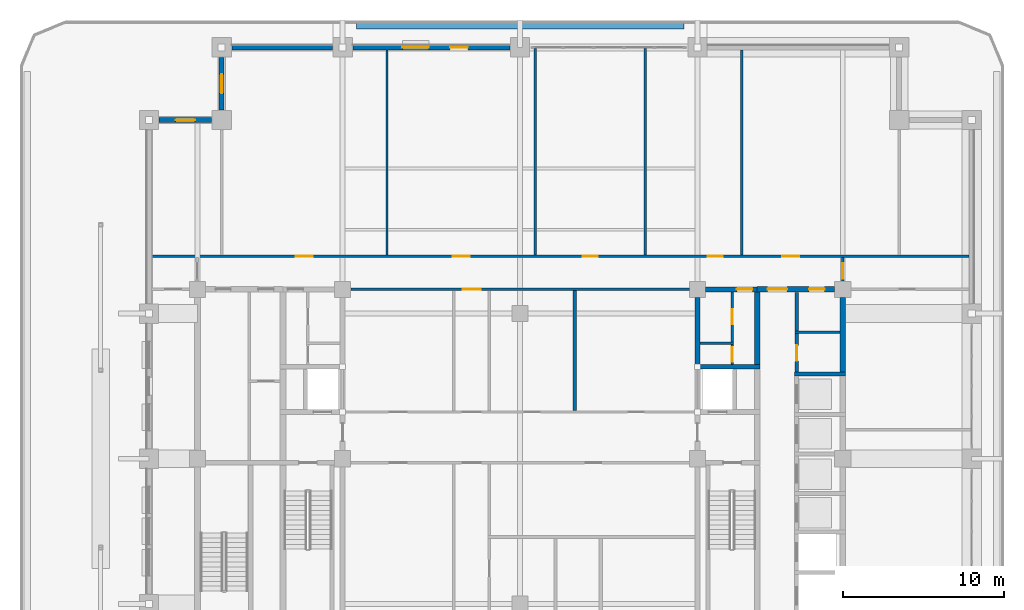
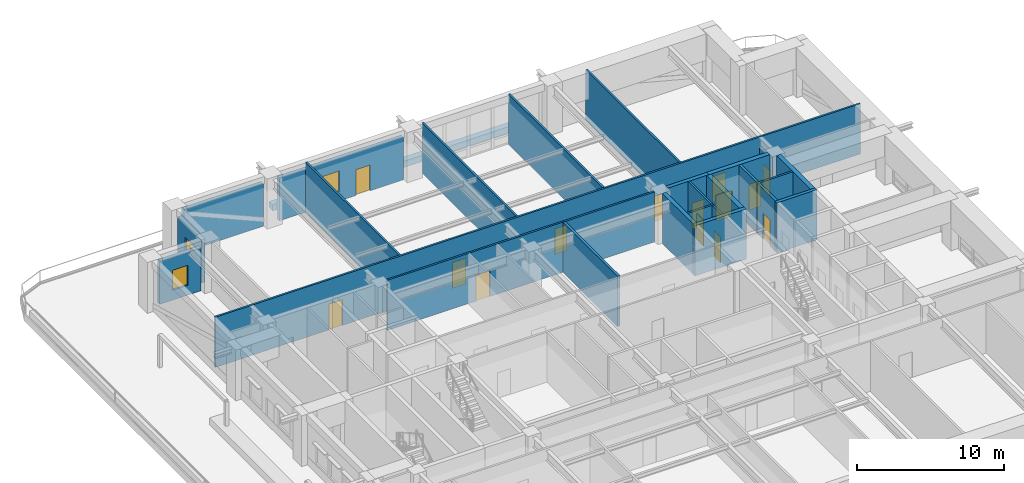
# One storey, part 11 of 21: 26 walls, 14 doors, 3 windows, 17 openings.
"""IFC4 building model written with IfcOpenShell, lengths in metres."""

from ifc_helpers import new_model, si_unit, direction, frame, frame_2d, origin, place, context, subcontext, project, spatial, rectangle, extrude, material, layer, layer_set, type_object, element, fill, save


model = new_model("IFC4")

# Units and contexts
model_context = context("Model", 3, precision=1e-05, world=origin(), true_north=direction((0.0, 1.0)))
body_context = subcontext(model_context, "Body", "Model", "MODEL_VIEW")
ifc_project = project(units=[si_unit("LENGTHUNIT", "METRE"), si_unit("AREAUNIT", "SQUARE_METRE"), si_unit("VOLUMEUNIT", "CUBIC_METRE"), si_unit("PLANEANGLEUNIT", "RADIAN"), si_unit("MASSUNIT", "GRAM", prefix="KILO")], contexts=[model_context])

# Site, building, storey
site_placement = place(None, origin())
site = spatial("IfcSite", under=ifc_project, at=site_placement, CompositionType="ELEMENT")
building_placement = place(site_placement, origin())
building = spatial("IfcBuilding", under=site, at=building_placement, Name="Zulmaris Gate Convention Tower", CompositionType="ELEMENT")
storey_placement = place(building_placement, frame((0.0, 0.0, 86.93994140625)))
storey = spatial("IfcBuildingStorey", under=building, at=storey_placement, Name="L21", CompositionType="ELEMENT", Elevation=86.93994140625)

# Walls
ifc_material_1 = material(Name="Concrete C50/60", Category="concrete")
ifc_layer_1 = layer(ifc_material_1, 0.25, Name="Concrete C50/60")
ifc_layer_set_1 = layer_set([ifc_layer_1], Name="Concrete C50/60")
wall_type_1 = type_object("IfcWallType", Name="CORE-250", PredefinedType="SOLIDWALL", material=ifc_layer_set_1)
wall_1_placement = place(storey_placement, frame((17.02490234375, 5.25, 0.0), z_axis=(0.0, 0.0, 1.0), x_axis=(1.0, 0.0, 0.0)))
element("IfcWall", 1, at=wall_1_placement, inside=storey, type_object=wall_type_1, Name="WL-L21-014", PredefinedType="SOLIDWALL", context=body_context, shape_type="SweptSolid", body=[
    extrude(rectangle(XDim=3.150146484375, YDim=0.25, at=frame_2d((1.5751953125, 0.0))), origin(), (0.0, 0.0, 1.0), 4.169921875),
])
ifc_layer_2 = layer(ifc_material_1, 0.300048828125, Name="Concrete C50/60")
ifc_layer_set_2 = layer_set([ifc_layer_2], Name="Concrete C50/60")
wall_type_2 = type_object("IfcWallType", Name="CORE-300", PredefinedType="SHEAR", material=ifc_layer_set_2)
wall_2_placement = place(storey_placement, frame((10.85009765625, 5.699951171875, 0.0), z_axis=(0.0, 0.0, 1.0), x_axis=(1.0, 0.0, 0.0)))
element("IfcWall", 2, at=wall_2_placement, inside=storey, type_object=wall_type_2, Name="WL-L21-016", PredefinedType="SHEAR", context=body_context, shape_type="SweptSolid", body=[
    extrude(rectangle(XDim=4.02490234375, YDim=0.300048828125, at=frame_2d((2.012451171875, 0.0))), origin(), (0.0, 0.0, 1.0), 4.169921875),
])

# Wall, opening, door
wall_3_placement = place(storey_placement, frame((11.50390625, 10.5, 0.0), z_axis=(0.0, 0.0, 1.0), x_axis=(1.0, 0.0, 0.0)))
wall_3 = element("IfcWall", 3, at=wall_3_placement, inside=storey, type_object=wall_type_2, Name="WL-L21-019", PredefinedType="SHEAR", context=body_context, shape_type="SweptSolid", body=[
    extrude(rectangle(XDim=3.196044921875, YDim=0.300048828125, at=frame_2d((1.59814453125, 0.0))), origin(), (0.0, 0.0, 1.0), 4.169921875),
])
opening_1_placement = place(wall_3_placement, frame((1.94091796875, 0.0, 0.0)))
opening_1 = element("IfcOpeningElement", 4, at=opening_1_placement, cuts=wall_3, Name="Opening D-11", PredefinedType="OPENING", context=body_context, shape_type="SweptSolid", body=[
    extrude(rectangle(XDim=0.949951171875, YDim=2.14990234375, at=frame_2d((0.47509765625, 1.074951171875))), frame((0.0, 0.16015625, 0.0), z_axis=(0.0, -1.0, 0.0), x_axis=(1.0, 0.0, 0.0)), (0.0, 0.0, 1.0), 0.320068359375),
])
ifc_material_2 = material(Name="Fire-Rated Timber", Category="wood")
door_type_1 = type_object("IfcDoorType", Name="DR-950-FD", OperationType="NOTDEFINED", PredefinedType="DOOR", material=ifc_material_2)
door_1_placement = place(opening_1_placement, origin())
door_1 = element("IfcDoor", 5, at=door_1_placement, inside=storey, type_object=door_type_1, Name="L21 Core East Passage Door 10", OperationType="SINGLE_SWING_RIGHT", OverallHeight=2.14990234375, OverallWidth=0.949951171875, PredefinedType="DOOR", context=body_context, shape_type="SweptSolid", body=[
    extrude(rectangle(XDim=0.949951171875, YDim=2.14990234375, at=frame_2d((0.47509765625, 1.074951171875))), frame((0.0, 0.02490234375, 0.0), z_axis=(0.0, -1.0, 0.0), x_axis=(1.0, 0.0, 0.0)), (0.0, 0.0, 1.0), 0.050048828125),
])
fill(opening_1, door_1)

# Wall
wall_4_placement = place(storey_placement, frame((11.0, 5.85205078125, 0.0), z_axis=(0.0, 0.0, 1.0), x_axis=(0.0, 1.0, 0.0)))
element("IfcWall", 6, at=wall_4_placement, inside=storey, type_object=wall_type_2, Name="WL-L21-053", PredefinedType="SHEAR", context=body_context, shape_type="SweptSolid", body=[
    extrude(rectangle(XDim=4.14404296875, YDim=0.300048828125, at=frame_2d((2.072021484375, 0.0))), origin(), (0.0, 0.0, 1.0), 4.169921875),
])

# Wall, openings, doors
ifc_material_3 = material(Name="Concrete C55/67", Category="concrete")
ifc_layer_3 = layer(ifc_material_3, 0.35009765625, Name="Concrete C55/67")
ifc_layer_set_3 = layer_set([ifc_layer_3], Name="Concrete C55/67")
wall_type_3 = type_object("IfcWallType", Name="CORE-350", PredefinedType="SHEAR", material=ifc_layer_set_3)
wall_5_placement = place(storey_placement, frame((14.699951171875, 10.5, 0.0), z_axis=(0.0, 0.0, 1.0), x_axis=(1.0, 0.0, 0.0)))
wall_5 = element("IfcWall", 7, at=wall_5_placement, inside=storey, type_object=wall_type_3, Name="WL-L21-020", PredefinedType="SHEAR", context=body_context, shape_type="SweptSolid", body=[
    extrude(rectangle(XDim=4.796142578125, YDim=0.35009765625, at=frame_2d((2.39794921875, 0.0))), origin(), (0.0, 0.0, 1.0), 4.169921875),
])
opening_2_placement = place(wall_5_placement, frame((0.64990234375, 0.0, 0.0)))
opening_2 = element("IfcOpeningElement", 8, at=opening_2_placement, cuts=wall_5, Name="Opening D-13", PredefinedType="OPENING", context=body_context, shape_type="SweptSolid", body=[
    extrude(rectangle(XDim=1.199951171875, YDim=2.14990234375, at=frame_2d((0.60009765625, 1.074951171875))), frame((0.0, 0.18505859375, 0.0), z_axis=(0.0, -1.0, 0.0), x_axis=(1.0, 0.0, 0.0)), (0.0, 0.0, 1.0), 0.3701171875),
])
opening_3_placement = place(wall_5_placement, frame((3.22509765625, 0.0, 0.0)))
opening_3 = element("IfcOpeningElement", 9, at=opening_3_placement, cuts=wall_5, Name="Opening D-11", PredefinedType="OPENING", context=body_context, shape_type="SweptSolid", body=[
    extrude(rectangle(XDim=0.949951171875, YDim=2.14990234375, at=frame_2d((0.47509765625, 1.074951171875))), frame((0.0, 0.18505859375, 0.0), z_axis=(0.0, -1.0, 0.0), x_axis=(1.0, 0.0, 0.0)), (0.0, 0.0, 1.0), 0.3701171875),
])
ifc_material_4 = material(Name="Fire-Rated Steel", Category="steel")
door_type_2 = type_object("IfcDoorType", Name="DR-1200-FD", OperationType="NOTDEFINED", PredefinedType="DOOR", material=ifc_material_4)
door_2_placement = place(opening_2_placement, origin())
door_2 = element("IfcDoor", 10, at=door_2_placement, inside=storey, type_object=door_type_2, Name="L21 East Lift Lobby North Door 24", OperationType="SINGLE_SWING_RIGHT", OverallHeight=2.14990234375, OverallWidth=1.199951171875, PredefinedType="DOOR", context=body_context, shape_type="SweptSolid", body=[
    extrude(rectangle(XDim=1.199951171875, YDim=2.14990234375, at=frame_2d((0.60009765625, 1.074951171875))), frame((0.0, 0.02490234375, 0.0), z_axis=(0.0, -1.0, 0.0), x_axis=(1.0, 0.0, 0.0)), (0.0, 0.0, 1.0), 0.050048828125),
])
fill(opening_2, door_2)
door_3_placement = place(opening_3_placement, origin())
door_3 = element("IfcDoor", 11, at=door_3_placement, inside=storey, type_object=door_type_1, Name="L21 Mid-Rise Supply Door 25", OperationType="SINGLE_SWING_LEFT", OverallHeight=2.14990234375, OverallWidth=0.949951171875, PredefinedType="DOOR", context=body_context, shape_type="SweptSolid", body=[
    extrude(rectangle(XDim=0.949951171875, YDim=2.14990234375, at=frame_2d((0.47509765625, 1.074951171875))), frame((0.0, 0.02490234375, 0.0), z_axis=(0.0, -1.0, 0.0), x_axis=(1.0, 0.0, 0.0)), (0.0, 0.0, 1.0), 0.050048828125),
])
fill(opening_3, door_3)

# Walls
wall_6_placement = place(storey_placement, frame((14.699951171875, 5.85205078125, 0.0), z_axis=(0.0, 0.0, 1.0), x_axis=(0.0, 1.0, 0.0)))
element("IfcWall", 12, at=wall_6_placement, inside=storey, type_object=wall_type_3, Name="WL-L21-059", PredefinedType="SHEAR", context=body_context, shape_type="SweptSolid", body=[
    extrude(rectangle(XDim=4.470947265625, YDim=0.35009765625, at=frame_2d((2.2353515625, 0.0))), origin(), (0.0, 0.0, 1.0), 4.169921875),
])
wall_7_placement = place(storey_placement, frame((20.0, 5.376953125, 0.0), z_axis=(0.0, 0.0, 1.0), x_axis=(0.0, 1.0, 0.0)))
element("IfcWall", 13, at=wall_7_placement, inside=storey, type_object=wall_type_3, Name="WL-L21-072", PredefinedType="SHEAR", context=body_context, shape_type="SweptSolid", body=[
    extrude(rectangle(XDim=4.619140625, YDim=0.35009765625, at=frame_2d((2.3095703125, 0.0))), origin(), (0.0, 0.0, 1.0), 4.169921875),
])
ifc_material_5 = material(Name="Gypsum Metal Stud Partition")
ifc_layer_4 = layer(ifc_material_5, 0.14990234375, Name="Gypsum Metal Stud Partition")
ifc_layer_set_4 = layer_set([ifc_layer_4], Name="Gypsum Metal Stud Partition")
wall_type_4 = type_object("IfcWallType", Name="PART-150", PredefinedType="PARTITIONING", material=ifc_layer_set_4)
wall_8_placement = place(storey_placement, frame((11.153076171875, 7.14990234375, 0.0), z_axis=(0.0, 0.0, 1.0), x_axis=(1.0, 0.0, 0.0)))
element("IfcWall", 14, at=wall_8_placement, inside=storey, type_object=wall_type_4, Name="WL-L21-031", PredefinedType="PARTITIONING", context=body_context, shape_type="SweptSolid", body=[
    extrude(rectangle(XDim=2.072021484375, YDim=0.14990234375, at=frame_2d((1.0361328125, 0.0))), origin(), (0.0, 0.0, 1.0), 4.169921875),
])
wall_9_placement = place(storey_placement, frame((17.050048828125, 7.85009765625, 0.0), z_axis=(0.0, 0.0, 1.0), x_axis=(1.0, 0.0, 0.0)))
element("IfcWall", 15, at=wall_9_placement, inside=storey, type_object=wall_type_4, Name="WL-L21-032", PredefinedType="PARTITIONING", context=body_context, shape_type="SweptSolid", body=[
    extrude(rectangle(XDim=2.77197265625, YDim=0.14990234375, at=frame_2d((1.385986328125, 0.0))), origin(), (0.0, 0.0, 1.0), 4.169921875),
])

# Wall, opening, door
wall_10_placement = place(storey_placement, frame((-10.493896484375, 10.5, 0.0), z_axis=(0.0, 0.0, 1.0), x_axis=(1.0, 0.0, 0.0)))
wall_10 = element("IfcWall", 16, at=wall_10_placement, inside=storey, type_object=wall_type_4, Name="WL-L21-034", PredefinedType="PARTITIONING", context=body_context, shape_type="SweptSolid", body=[
    extrude(rectangle(XDim=20.98779296875, YDim=0.14990234375, at=frame_2d((10.493896484375, 0.0))), origin(), (0.0, 0.0, 1.0), 4.169921875),
])
opening_4_placement = place(wall_10_placement, frame((6.944091796875, 0.0, 0.0)))
opening_4 = element("IfcOpeningElement", 17, at=opening_4_placement, cuts=wall_10, Name="Opening D-08", PredefinedType="OPENING", context=body_context, shape_type="SweptSolid", body=[
    extrude(rectangle(XDim=1.10009765625, YDim=2.14990234375, at=frame_2d((0.550048828125, 1.074951171875))), frame((0.0, 0.0849609375, 0.0), z_axis=(0.0, -1.0, 0.0), x_axis=(1.0, 0.0, 0.0)), (0.0, 0.0, 1.0), 0.169921875),
])
door_type_3 = type_object("IfcDoorType", Name="DR-1100-FD", OperationType="NOTDEFINED", PredefinedType="DOOR", material=ifc_material_4)
door_4_placement = place(opening_4_placement, origin())
door_4 = element("IfcDoor", 18, at=door_4_placement, inside=storey, type_object=door_type_3, Name="L21 North Gallery Link Door 27", OperationType="SINGLE_SWING_LEFT", OverallHeight=2.14990234375, OverallWidth=1.10009765625, PredefinedType="DOOR", context=body_context, shape_type="SweptSolid", body=[
    extrude(rectangle(XDim=1.10009765625, YDim=2.14990234375, at=frame_2d((0.550048828125, 1.074951171875))), frame((0.0, 0.02490234375, 0.0), z_axis=(0.0, -1.0, 0.0), x_axis=(1.0, 0.0, 0.0)), (0.0, 0.0, 1.0), 0.050048828125),
])
fill(opening_4, door_4)

# Wall, openings, doors
wall_11_placement = place(storey_placement, frame((-22.8349609375, 12.550048828125, 0.0), z_axis=(0.0, 0.0, 1.0), x_axis=(1.0, 0.0, 0.0)))
wall_11 = element("IfcWall", 19, at=wall_11_placement, inside=storey, type_object=wall_type_4, Name="WL-L21-036", PredefinedType="PARTITIONING", context=body_context, shape_type="SweptSolid", body=[
    extrude(rectangle(XDim=50.669921875, YDim=0.14990234375, at=frame_2d((25.3349609375, 0.0))), origin(), (0.0, 0.0, 1.0), 4.169921875),
])
opening_5_placement = place(wall_11_placement, frame((8.929931640625, 0.0, 0.0)))
opening_5 = element("IfcOpeningElement", 20, at=opening_5_placement, cuts=wall_11, Name="Opening D-09", PredefinedType="OPENING", context=body_context, shape_type="SweptSolid", body=[
    extrude(rectangle(XDim=1.050048828125, YDim=2.14990234375, at=frame_2d((0.52490234375, 1.074951171875))), frame((0.0, 0.0849609375, 0.0), z_axis=(0.0, -1.0, 0.0), x_axis=(1.0, 0.0, 0.0)), (0.0, 0.0, 1.0), 0.169921875),
])
opening_6_placement = place(wall_11_placement, frame((18.659912109375, 0.0, 0.0)))
opening_6 = element("IfcOpeningElement", 21, at=opening_6_placement, cuts=wall_11, Name="Opening D-09", PredefinedType="OPENING", context=body_context, shape_type="SweptSolid", body=[
    extrude(rectangle(XDim=1.050048828125, YDim=2.14990234375, at=frame_2d((0.52490234375, 1.074951171875))), frame((0.0, 0.0849609375, 0.0), z_axis=(0.0, -1.0, 0.0), x_axis=(1.0, 0.0, 0.0)), (0.0, 0.0, 1.0), 0.169921875),
])
opening_7_placement = place(wall_11_placement, frame((26.7099609375, 0.0, 0.0)))
opening_7 = element("IfcOpeningElement", 22, at=opening_7_placement, cuts=wall_11, Name="Opening D-11", PredefinedType="OPENING", context=body_context, shape_type="SweptSolid", body=[
    extrude(rectangle(XDim=0.949951171875, YDim=2.14990234375, at=frame_2d((0.47509765625, 1.074951171875))), frame((0.0, 0.0849609375, 0.0), z_axis=(0.0, -1.0, 0.0), x_axis=(1.0, 0.0, 0.0)), (0.0, 0.0, 1.0), 0.169921875),
])
opening_8_placement = place(wall_11_placement, frame((34.4599609375, 0.0, 0.0)))
opening_8 = element("IfcOpeningElement", 23, at=opening_8_placement, cuts=wall_11, Name="Opening D-11", PredefinedType="OPENING", context=body_context, shape_type="SweptSolid", body=[
    extrude(rectangle(XDim=0.949951171875, YDim=2.14990234375, at=frame_2d((0.47509765625, 1.074951171875))), frame((0.0, 0.0849609375, 0.0), z_axis=(0.0, -1.0, 0.0), x_axis=(1.0, 0.0, 0.0)), (0.0, 0.0, 1.0), 0.169921875),
])
opening_9_placement = place(wall_11_placement, frame((39.080078125, 0.0, 0.0)))
opening_9 = element("IfcOpeningElement", 24, at=opening_9_placement, cuts=wall_11, Name="Opening D-09", PredefinedType="OPENING", context=body_context, shape_type="SweptSolid", body=[
    extrude(rectangle(XDim=1.050048828125, YDim=2.14990234375, at=frame_2d((0.52490234375, 1.074951171875))), frame((0.0, 0.0849609375, 0.0), z_axis=(0.0, -1.0, 0.0), x_axis=(1.0, 0.0, 0.0)), (0.0, 0.0, 1.0), 0.169921875),
])
door_type_4 = type_object("IfcDoorType", Name="DR-1050-FD", OperationType="NOTDEFINED", PredefinedType="DOOR", material=ifc_material_4)
door_5_placement = place(opening_5_placement, origin())
door_5 = element("IfcDoor", 25, at=door_5_placement, inside=storey, type_object=door_type_4, Name="L21 Sky-Lobby Transfer Concourse Door 31", OperationType="SINGLE_SWING_LEFT", OverallHeight=2.14990234375, OverallWidth=1.050048828125, PredefinedType="DOOR", context=body_context, shape_type="SweptSolid", body=[
    extrude(rectangle(XDim=1.050048828125, YDim=2.14990234375, at=frame_2d((0.52490234375, 1.074951171875))), frame((0.0, 0.02490234375, 0.0), z_axis=(0.0, -1.0, 0.0), x_axis=(1.0, 0.0, 0.0)), (0.0, 0.0, 1.0), 0.050048828125),
])
fill(opening_5, door_5)
door_6_placement = place(opening_6_placement, origin())
door_6 = element("IfcDoor", 26, at=door_6_placement, inside=storey, type_object=door_type_4, Name="L21 Sky-Lobby Concierge Office Door 32", OperationType="SINGLE_SWING_RIGHT", OverallHeight=2.14990234375, OverallWidth=1.050048828125, PredefinedType="DOOR", context=body_context, shape_type="SweptSolid", body=[
    extrude(rectangle(XDim=1.050048828125, YDim=2.14990234375, at=frame_2d((0.52490234375, 1.074951171875))), frame((0.0, 0.02490234375, 0.0), z_axis=(0.0, -1.0, 0.0), x_axis=(1.0, 0.0, 0.0)), (0.0, 0.0, 1.0), 0.050048828125),
])
fill(opening_6, door_6)
door_7_placement = place(opening_9_placement, origin())
door_7 = element("IfcDoor", 27, at=door_7_placement, inside=storey, type_object=door_type_4, Name="L21 Sky-Lobby Transfer Concourse Door 35", OperationType="SINGLE_SWING_LEFT", OverallHeight=2.14990234375, OverallWidth=1.050048828125, PredefinedType="DOOR", context=body_context, shape_type="SweptSolid", body=[
    extrude(rectangle(XDim=1.050048828125, YDim=2.14990234375, at=frame_2d((0.52490234375, 1.074951171875))), frame((0.0, 0.02490234375, 0.0), z_axis=(0.0, -1.0, 0.0), x_axis=(1.0, 0.0, 0.0)), (0.0, 0.0, 1.0), 0.050048828125),
])
fill(opening_9, door_7)
door_8_placement = place(opening_7_placement, origin())
door_8 = element("IfcDoor", 28, at=door_8_placement, inside=storey, type_object=door_type_1, Name="L21 Delegate Business Lounge Door 33", OperationType="SINGLE_SWING_LEFT", OverallHeight=2.14990234375, OverallWidth=0.949951171875, PredefinedType="DOOR", context=body_context, shape_type="SweptSolid", body=[
    extrude(rectangle(XDim=0.949951171875, YDim=2.14990234375, at=frame_2d((0.47509765625, 1.074951171875))), frame((0.0, 0.02490234375, 0.0), z_axis=(0.0, -1.0, 0.0), x_axis=(1.0, 0.0, 0.0)), (0.0, 0.0, 1.0), 0.050048828125),
])
fill(opening_7, door_8)
door_9_placement = place(opening_8_placement, origin())
door_9 = element("IfcDoor", 29, at=door_9_placement, inside=storey, type_object=door_type_1, Name="L21 Sky-Lobby Reading Study Door 34", OperationType="SINGLE_SWING_RIGHT", OverallHeight=2.14990234375, OverallWidth=0.949951171875, PredefinedType="DOOR", context=body_context, shape_type="SweptSolid", body=[
    extrude(rectangle(XDim=0.949951171875, YDim=2.14990234375, at=frame_2d((0.47509765625, 1.074951171875))), frame((0.0, 0.02490234375, 0.0), z_axis=(0.0, -1.0, 0.0), x_axis=(1.0, 0.0, 0.0)), (0.0, 0.0, 1.0), 0.050048828125),
])
fill(opening_8, door_9)

# Walls
wall_12_placement = place(storey_placement, frame((-8.25, 12.6279296875, 0.0), z_axis=(0.0, 0.0, 1.0), x_axis=(0.0, 1.0, 0.0)))
element("IfcWall", 30, at=wall_12_placement, inside=storey, type_object=wall_type_4, Name="WL-L21-081", PredefinedType="PARTITIONING", context=body_context, shape_type="SweptSolid", body=[
    extrude(rectangle(XDim=12.70703125, YDim=0.14990234375, at=frame_2d((6.353515625, 0.0))), origin(), (0.0, 0.0, 1.0), 4.169921875),
])
for number, where, z_axis, x_axis, name in (
    (31, (0.949951171875, 12.6279296875, 0.0), (0.0, 0.0, 1.0), (0.0, 1.0, 0.0), "WL-L21-088"),
    (32, (7.75, 12.6279296875, 0.0), (0.0, 0.0, 1.0), (0.0, 1.0, 0.0), "WL-L21-093"),
):
    element("IfcWall", number, at=place(storey_placement, frame(where, z_axis=z_axis, x_axis=x_axis)), inside=storey, type_object=wall_type_4, Name=name, PredefinedType="PARTITIONING", context=body_context, shape_type="SweptSolid", body=[
        extrude(rectangle(XDim=12.81201171875, YDim=0.14990234375, at=frame_2d((6.406005859375, 0.0))), origin(), (0.0, 0.0, 1.0), 4.169921875),
    ])

# Wall, opening, door
wall_13_placement = place(storey_placement, frame((13.14990234375, 5.85302734375, 0.0), z_axis=(0.0, 0.0, 1.0), x_axis=(0.0, 1.0, 0.0)))
wall_13 = element("IfcWall", 33, at=wall_13_placement, inside=storey, type_object=wall_type_4, Name="WL-L21-095", PredefinedType="PARTITIONING", context=body_context, shape_type="SweptSolid", body=[
    extrude(rectangle(XDim=1.218994140625, YDim=0.14990234375, at=frame_2d((0.609375, 0.0))), origin(), (0.0, 0.0, 1.0), 4.169921875),
])
opening_10_placement = place(wall_13_placement, frame((0.1689453125, 0.0, 0.0)))
opening_10 = element("IfcOpeningElement", 34, at=opening_10_placement, cuts=wall_13, Name="Opening D-12", PredefinedType="OPENING", context=body_context, shape_type="SweptSolid", body=[
    extrude(rectangle(XDim=0.89990234375, YDim=2.14990234375, at=frame_2d((0.449951171875, 1.074951171875))), frame((0.0, 0.0849609375, 0.0), z_axis=(0.0, -1.0, 0.0), x_axis=(1.0, 0.0, 0.0)), (0.0, 0.0, 1.0), 0.169921875),
])
door_type_5 = type_object("IfcDoorType", Name="DR-900-FD", OperationType="NOTDEFINED", PredefinedType="DOOR", material=ifc_material_2)
door_10_placement = place(opening_10_placement, origin())
door_10 = element("IfcDoor", 35, at=door_10_placement, inside=storey, type_object=door_type_5, Name="L21 Core Staff WC Door 11", OperationType="SINGLE_SWING_LEFT", OverallHeight=2.14990234375, OverallWidth=0.89990234375, PredefinedType="DOOR", context=body_context, shape_type="SweptSolid", body=[
    extrude(rectangle(XDim=0.89990234375, YDim=2.14990234375, at=frame_2d((0.449951171875, 1.074951171875))), frame((0.0, 0.02490234375, 0.0), z_axis=(0.0, -1.0, 0.0), x_axis=(1.0, 0.0, 0.0)), (0.0, 0.0, 1.0), 0.050048828125),
])
fill(opening_10, door_10)

wall_14_placement = place(storey_placement, frame((13.14990234375, 7.22802734375, 0.0), z_axis=(0.0, 0.0, 1.0), x_axis=(0.0, 1.0, 0.0)))
wall_14 = element("IfcWall", 36, at=wall_14_placement, inside=storey, type_object=wall_type_4, Name="WL-L21-096", PredefinedType="PARTITIONING", context=body_context, shape_type="SweptSolid", body=[
    extrude(rectangle(XDim=3.118896484375, YDim=0.14990234375, at=frame_2d((1.5595703125, 0.0))), origin(), (0.0, 0.0, 1.0), 4.169921875),
])
opening_11_placement = place(wall_14_placement, frame((1.096923828125, 0.0, 0.0)))
opening_11 = element("IfcOpeningElement", 37, at=opening_11_placement, cuts=wall_14, Name="Opening D-11", PredefinedType="OPENING", context=body_context, shape_type="SweptSolid", body=[
    extrude(rectangle(XDim=0.949951171875, YDim=2.14990234375, at=frame_2d((0.47509765625, 1.074951171875))), frame((0.0, 0.0849609375, 0.0), z_axis=(0.0, -1.0, 0.0), x_axis=(1.0, 0.0, 0.0)), (0.0, 0.0, 1.0), 0.169921875),
])
door_11_placement = place(opening_11_placement, origin())
door_11 = element("IfcDoor", 38, at=door_11_placement, inside=storey, type_object=door_type_1, Name="L21 Core Hygiene Store Door 12", OperationType="SINGLE_SWING_RIGHT", OverallHeight=2.14990234375, OverallWidth=0.949951171875, PredefinedType="DOOR", context=body_context, shape_type="SweptSolid", body=[
    extrude(rectangle(XDim=0.949951171875, YDim=2.14990234375, at=frame_2d((0.47509765625, 1.074951171875))), frame((0.0, 0.02490234375, 0.0), z_axis=(0.0, -1.0, 0.0), x_axis=(1.0, 0.0, 0.0)), (0.0, 0.0, 1.0), 0.050048828125),
])
fill(opening_11, door_11)

# Wall
wall_15_placement = place(storey_placement, frame((13.75, 12.6279296875, 0.0), z_axis=(0.0, 0.0, 1.0), x_axis=(0.0, 1.0, 0.0)))
element("IfcWall", 39, at=wall_15_placement, inside=storey, type_object=wall_type_4, Name="WL-L21-097", PredefinedType="PARTITIONING", context=body_context, shape_type="SweptSolid", body=[
    extrude(rectangle(XDim=12.70703125, YDim=0.14990234375, at=frame_2d((6.353515625, 0.0))), origin(), (0.0, 0.0, 1.0), 4.169921875),
])

# Wall, opening, door
wall_16_placement = place(storey_placement, frame((20.0, 11.006103515625, 0.0), z_axis=(0.0, 0.0, 1.0), x_axis=(0.0, 1.0, 0.0)))
wall_16 = element("IfcWall", 40, at=wall_16_placement, inside=storey, type_object=wall_type_4, Name="WL-L21-102", PredefinedType="PARTITIONING", context=body_context, shape_type="SweptSolid", body=[
    extrude(rectangle(XDim=1.4658203125, YDim=0.14990234375, at=frame_2d((0.73291015625, 0.0))), origin(), (0.0, 0.0, 1.0), 3.35986328125),
])
opening_12_placement = place(wall_16_placement, frame((0.14990234375, 0.0, 0.0)))
opening_12 = element("IfcOpeningElement", 41, at=opening_12_placement, cuts=wall_16, Name="Opening D-11", PredefinedType="OPENING", context=body_context, shape_type="SweptSolid", body=[
    extrude(rectangle(XDim=0.949951171875, YDim=2.14990234375, at=frame_2d((0.47509765625, 1.074951171875))), frame((0.0, 0.0849609375, 0.0), z_axis=(0.0, -1.0, 0.0), x_axis=(1.0, 0.0, 0.0)), (0.0, 0.0, 1.0), 0.169921875),
])
door_12_placement = place(opening_12_placement, origin())
door_12 = element("IfcDoor", 42, at=door_12_placement, inside=storey, type_object=door_type_1, Name="L21 NE Spur Door 53", OperationType="SINGLE_SWING_LEFT", OverallHeight=2.14990234375, OverallWidth=0.949951171875, PredefinedType="DOOR", context=body_context, shape_type="SweptSolid", body=[
    extrude(rectangle(XDim=0.949951171875, YDim=2.14990234375, at=frame_2d((0.47509765625, 1.074951171875))), frame((0.0, 0.02490234375, 0.0), z_axis=(0.0, -1.0, 0.0), x_axis=(1.0, 0.0, 0.0)), (0.0, 0.0, 1.0), 0.050048828125),
])
fill(opening_12, door_12)

# Wall
ifc_material_6 = material(Name="Autoclaved Aerated Concrete Block and Plasterboard", Category="concrete")
ifc_layer_5 = layer(ifc_material_6, 0.199951171875, Name="Autoclaved Aerated Concrete Block and Plasterboard")
ifc_layer_set_5 = layer_set([ifc_layer_5], Name="Autoclaved Aerated Concrete Block and Plasterboard")
wall_type_5 = type_object("IfcWallType", Name="PART-200", PredefinedType="PARTITIONING", material=ifc_layer_set_5)
wall_17_placement = place(storey_placement, frame((3.389892578125, 2.97802734375, 0.0), z_axis=(0.0, 0.0, 1.0), x_axis=(0.0, 1.0, 0.0)))
element("IfcWall", 43, at=wall_17_placement, inside=storey, type_object=wall_type_5, Name="WL-L21-091", PredefinedType="PARTITIONING", context=body_context, shape_type="SweptSolid", body=[
    extrude(rectangle(XDim=7.444091796875, YDim=0.199951171875, at=frame_2d((3.72216796875, 0.0))), origin(), (0.0, 0.0, 1.0), 4.169921875),
])

# Wall, opening, door
wall_18_placement = place(storey_placement, frame((17.14990234375, 5.3779296875, 0.0), z_axis=(0.0, 0.0, 1.0), x_axis=(0.0, 1.0, 0.0)))
wall_18 = element("IfcWall", 44, at=wall_18_placement, inside=storey, type_object=wall_type_5, Name="WL-L21-099", PredefinedType="PARTITIONING", context=body_context, shape_type="SweptSolid", body=[
    extrude(rectangle(XDim=2.39404296875, YDim=0.199951171875, at=frame_2d((1.197021484375, 0.0))), origin(), (0.0, 0.0, 1.0), 4.169921875),
])
opening_13_placement = place(wall_18_placement, frame((0.697021484375, 0.0, 0.0)))
opening_13 = element("IfcOpeningElement", 45, at=opening_13_placement, cuts=wall_18, Name="Opening D-11", PredefinedType="OPENING", context=body_context, shape_type="SweptSolid", body=[
    extrude(rectangle(XDim=0.949951171875, YDim=2.14990234375, at=frame_2d((0.47509765625, 1.074951171875))), frame((0.0, 0.10986328125, 0.0), z_axis=(0.0, -1.0, 0.0), x_axis=(1.0, 0.0, 0.0)), (0.0, 0.0, 1.0), 0.219970703125),
])
door_13_placement = place(opening_13_placement, origin())
door_13 = element("IfcDoor", 46, at=door_13_placement, inside=storey, type_object=door_type_1, Name="L21 Mid-Rise Meter Door 26", OperationType="SINGLE_SWING_RIGHT", OverallHeight=2.14990234375, OverallWidth=0.949951171875, PredefinedType="DOOR", context=body_context, shape_type="SweptSolid", body=[
    extrude(rectangle(XDim=0.949951171875, YDim=2.14990234375, at=frame_2d((0.47509765625, 1.074951171875))), frame((0.0, 0.02490234375, 0.0), z_axis=(0.0, -1.0, 0.0), x_axis=(1.0, 0.0, 0.0)), (0.0, 0.0, 1.0), 0.050048828125),
])
fill(opening_13, door_13)

# Walls
wall_19_placement = place(storey_placement, frame((17.14990234375, 7.927978515625, 0.0), z_axis=(0.0, 0.0, 1.0), x_axis=(0.0, 1.0, 0.0)))
element("IfcWall", 47, at=wall_19_placement, inside=storey, type_object=wall_type_5, Name="WL-L21-100", PredefinedType="PARTITIONING", context=body_context, shape_type="SweptSolid", body=[
    extrude(rectangle(XDim=2.39404296875, YDim=0.199951171875, at=frame_2d((1.197021484375, 0.0))), origin(), (0.0, 0.0, 1.0), 4.169921875),
])
ifc_material_7 = material(Name="Botanical Green Glazed Precast Concrete C40/50", Category="concrete")
ifc_layer_6 = layer(ifc_material_7, 0.419921875, Name="Botanical Green Glazed Precast Concrete C40/50")
ifc_layer_set_6 = layer_set([ifc_layer_6], Name="Botanical Green Glazed Precast Concrete C40/50")
wall_type_6 = type_object("IfcWallType", Name="PLANTER-CURB-200", PredefinedType="PARAPET", material=ifc_layer_set_6)
wall_20_placement = place(storey_placement, frame((-10.14990234375, 26.8798828125, -0.0400390625), z_axis=(0.0, 0.0, 1.0), x_axis=(1.0, 0.0, 0.0)))
element("IfcWall", 48, at=wall_20_placement, inside=storey, type_object=wall_type_6, Name="L21 Full-Length Balcony Tree Planter Trough", PredefinedType="PARAPET", context=body_context, shape_type="SweptSolid", body=[
    extrude(rectangle(XDim=20.2998046875, YDim=0.47998046875, at=frame_2d((10.14990234375, 0.0))), origin(), (0.0, 0.0, 1.0), 0.52001953125),
])

# Wall, opening, window
ifc_material_8 = material(Name="Precast concrete C40/50", Category="concrete")
ifc_layer_7 = layer(ifc_material_8, 0.300048828125, Name="Precast concrete C40/50")
ifc_layer_set_7 = layer_set([ifc_layer_7], Name="Precast concrete C40/50")
wall_type_7 = type_object("IfcWallType", Name="PRECAST-PIER-300", PredefinedType="STANDARD", material=ifc_layer_set_7)
wall_21_placement = place(storey_placement, frame((-18.5, 24.8701171875, 0.0), z_axis=(0.0, 0.0, 1.0), x_axis=(0.0, -1.0, 0.0)))
wall_21 = element("IfcWall", 49, at=wall_21_placement, inside=storey, type_object=wall_type_7, Name="EW-L21-NOTCH-NW1_0", PredefinedType="STANDARD", context=body_context, shape_type="SweptSolid", body=[
    extrude(rectangle(XDim=3.240234375, YDim=0.300048828125, at=frame_2d((1.6201171875, 0.0))), origin(), (0.0, 0.0, 1.0), 3.56201171875),
])
opening_14_placement = place(wall_21_placement, frame((1.02001953125, 0.0, 0.820068359375)))
opening_14 = element("IfcOpeningElement", 50, at=opening_14_placement, cuts=wall_21, Name="Opening W-04", PredefinedType="OPENING", context=body_context, shape_type="SweptSolid", body=[
    extrude(rectangle(XDim=1.199951171875, YDim=1.64990234375, at=frame_2d((0.60009765625, 0.824951171875))), frame((0.0, 0.16015625, 0.0), z_axis=(0.0, -1.0, 0.0), x_axis=(1.0, 0.0, 0.0)), (0.0, 0.0, 1.0), 0.320068359375),
])
ifc_material_9 = material(Name="Low-E Laminated Double Glazing in Aluminium Frame", Category="aluminium")
window_type_1 = type_object("IfcWindowType", Name="WIN-1200x2100", PartitioningType="SINGLE_PANEL", PredefinedType="WINDOW", material=ifc_material_9)
window_1_placement = place(opening_14_placement, origin())
window_1 = element("IfcWindow", 51, at=window_1_placement, inside=storey, type_object=window_type_1, Name="WN-EW-L21-NOTCH-NW1_0", OverallHeight=1.64990234375, OverallWidth=1.199951171875, PartitioningType="SINGLE_PANEL", PredefinedType="WINDOW", context=body_context, shape_type="SweptSolid", body=[
    extrude(rectangle(XDim=1.199951171875, YDim=1.64990234375, at=frame_2d((0.60009765625, 0.824951171875))), frame((0.0, 0.030029296875, 0.0), z_axis=(0.0, -1.0, 0.0), x_axis=(1.0, 0.0, 0.0)), (0.0, 0.0, 1.0), 0.06005859375),
])
fill(opening_14, window_1)

wall_22_placement = place(storey_placement, frame((-19.1298828125, 21.0, 0.0), z_axis=(0.0, 0.0, 1.0), x_axis=(-1.0, 0.0, 0.0)))
wall_22 = element("IfcWall", 52, at=wall_22_placement, inside=storey, type_object=wall_type_7, Name="EW-L21-NOTCH-NW2_0", PredefinedType="STANDARD", context=body_context, shape_type="SweptSolid", body=[
    extrude(rectangle(XDim=3.240234375, YDim=0.300048828125, at=frame_2d((1.6201171875, 0.0))), origin(), (0.0, 0.0, 1.0), 3.56201171875),
])
opening_15_placement = place(wall_22_placement, frame((1.02001953125, 0.0, 0.820068359375)))
opening_15 = element("IfcOpeningElement", 53, at=opening_15_placement, cuts=wall_22, Name="Opening W-04", PredefinedType="OPENING", context=body_context, shape_type="SweptSolid", body=[
    extrude(rectangle(XDim=1.199951171875, YDim=1.64990234375, at=frame_2d((0.60009765625, 0.824951171875))), frame((0.0, 0.16015625, 0.0), z_axis=(0.0, -1.0, 0.0), x_axis=(1.0, 0.0, 0.0)), (0.0, 0.0, 1.0), 0.320068359375),
])
window_2_placement = place(opening_15_placement, origin())
window_2 = element("IfcWindow", 54, at=window_2_placement, inside=storey, type_object=window_type_1, Name="WN-EW-L21-NOTCH-NW2_0", OverallHeight=1.64990234375, OverallWidth=1.199951171875, PartitioningType="SINGLE_PANEL", PredefinedType="WINDOW", context=body_context, shape_type="SweptSolid", body=[
    extrude(rectangle(XDim=1.199951171875, YDim=1.64990234375, at=frame_2d((0.60009765625, 0.824951171875))), frame((0.0, 0.030029296875, 0.0), z_axis=(0.0, -1.0, 0.0), x_axis=(1.0, 0.0, 0.0)), (0.0, 0.0, 1.0), 0.06005859375),
])
fill(opening_15, window_2)

# Wall
wall_23_placement = place(storey_placement, frame((-11.6298828125, 25.5, 0.0), z_axis=(0.0, 0.0, 1.0), x_axis=(-1.0, 0.0, 0.0)))
element("IfcWall", 55, at=wall_23_placement, inside=storey, type_object=wall_type_7, Name="EW-L21-N-0_0", PredefinedType="STANDARD", context=body_context, shape_type="SweptSolid", body=[
    extrude(rectangle(XDim=6.240234375, YDim=0.300048828125, at=frame_2d((3.1201171875, 0.0))), origin(), (0.0, 0.0, 1.0), 3.56201171875),
])

# Wall, openings, door, window
wall_24_placement = place(storey_placement, frame((-0.6298828125, 25.5, 0.0), z_axis=(0.0, 0.0, 1.0), x_axis=(-1.0, 0.0, 0.0)))
wall_24 = element("IfcWall", 56, at=wall_24_placement, inside=storey, type_object=wall_type_7, Name="EW-L21-N-1_0", PredefinedType="STANDARD", context=body_context, shape_type="SweptSolid", body=[
    extrude(rectangle(XDim=9.740234375, YDim=0.300048828125, at=frame_2d((4.8701171875, 0.0))), origin(), (0.0, 0.0, 1.0), 3.56201171875),
])
opening_16_placement = place(wall_24_placement, frame((2.60302734375, 0.0, 0.0)))
opening_16 = element("IfcOpeningElement", 57, at=opening_16_placement, cuts=wall_24, Name="Opening D-04", PredefinedType="OPENING", context=body_context, shape_type="SweptSolid", body=[
    extrude(rectangle(XDim=1.10009765625, YDim=2.14990234375, at=frame_2d((0.550048828125, 1.074951171875))), frame((0.0, 0.16015625, 0.0), z_axis=(0.0, -1.0, 0.0), x_axis=(1.0, 0.0, 0.0)), (0.0, 0.0, 1.0), 0.320068359375),
])
opening_17_placement = place(wall_24_placement, frame((5.01904296875, 0.0, 0.800048828125)))
opening_17 = element("IfcOpeningElement", 58, at=opening_17_placement, cuts=wall_24, Name="Opening W-08", PredefinedType="OPENING", context=body_context, shape_type="SweptSolid", body=[
    extrude(rectangle(XDim=1.64990234375, YDim=1.699951171875, at=frame_2d((0.824951171875, 0.85009765625))), frame((0.0, 0.16015625, 0.0), z_axis=(0.0, -1.0, 0.0), x_axis=(1.0, 0.0, 0.0)), (0.0, 0.0, 1.0), 0.320068359375),
])
ifc_material_10 = material(Name="Anodised Aluminium and Laminated Glass", Category="aluminium")
door_type_6 = type_object("IfcDoorType", Name="ED-1100", OperationType="SINGLE_SWING_RIGHT", PredefinedType="DOOR", material=ifc_material_10)
door_14_placement = place(opening_16_placement, origin())
door_14 = element("IfcDoor", 59, at=door_14_placement, inside=storey, type_object=door_type_6, Name="L21 N Planted Terrace Door", OperationType="SINGLE_SWING_LEFT", OverallHeight=2.14990234375, OverallWidth=1.10009765625, PredefinedType="DOOR", context=body_context, shape_type="SweptSolid", body=[
    extrude(rectangle(XDim=1.10009765625, YDim=2.14990234375, at=frame_2d((0.550048828125, 1.074951171875))), frame((0.0, 0.02490234375, 0.0), z_axis=(0.0, -1.0, 0.0), x_axis=(1.0, 0.0, 0.0)), (0.0, 0.0, 1.0), 0.050048828125),
])
fill(opening_16, door_14)
window_type_2 = type_object("IfcWindowType", Name="WIN-1650x2150", PartitioningType="SINGLE_PANEL", PredefinedType="WINDOW", material=ifc_material_9)
window_3_placement = place(opening_17_placement, origin())
window_3 = element("IfcWindow", 60, at=window_3_placement, inside=storey, type_object=window_type_2, Name="WN-EW-L21-N-1_0-3", OverallHeight=1.699951171875, OverallWidth=1.64990234375, PartitioningType="SINGLE_PANEL", PredefinedType="WINDOW", context=body_context, shape_type="SweptSolid", body=[
    extrude(rectangle(XDim=1.64990234375, YDim=1.699951171875, at=frame_2d((0.824951171875, 0.85009765625))), frame((0.0, 0.030029296875, 0.0), z_axis=(0.0, -1.0, 0.0), x_axis=(1.0, 0.0, 0.0)), (0.0, 0.0, 1.0), 0.06005859375),
])
fill(opening_17, window_3)

save(model, "model.ifc")
